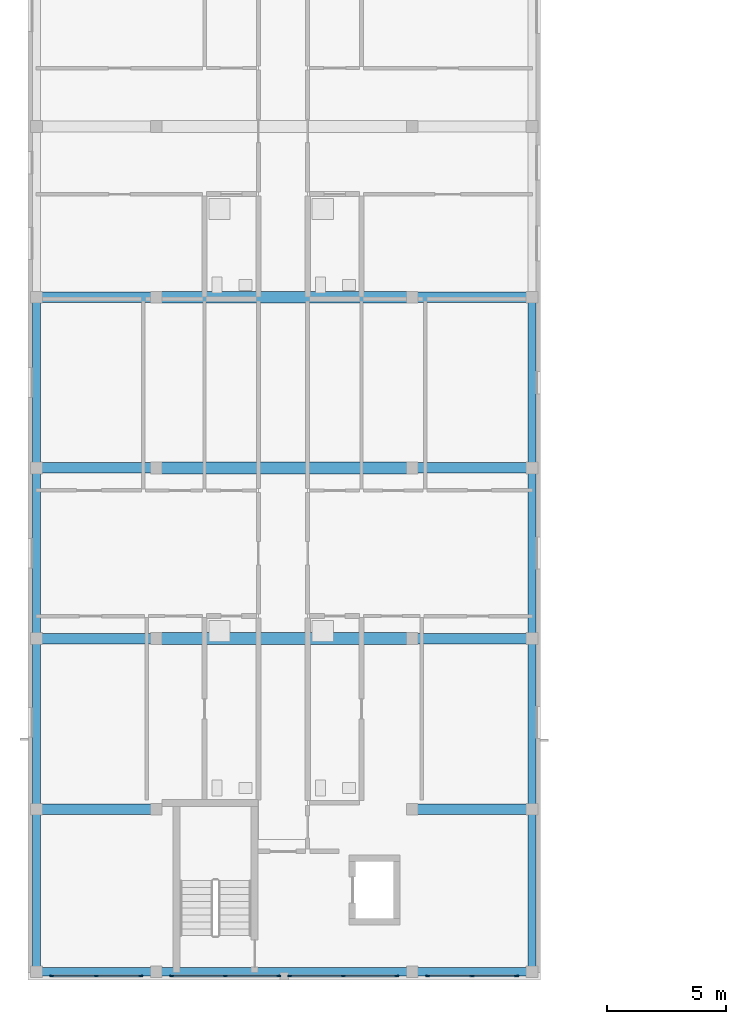
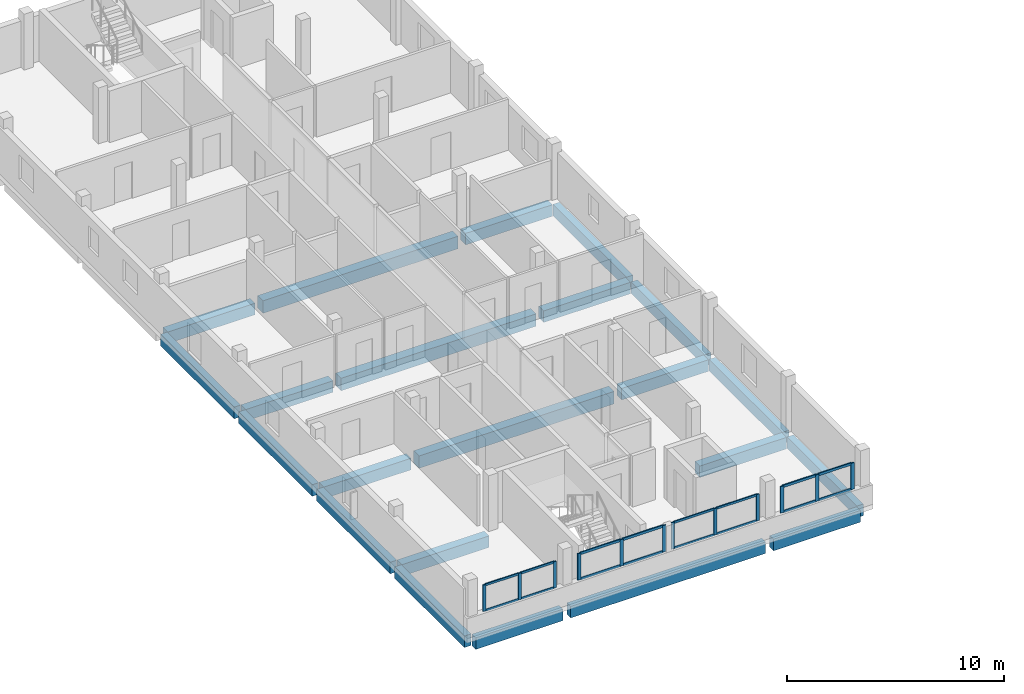
# One storey, part 2 of 16: 28 members, 22 beams, 4 elements without a shape of their own.
"""IFC4 building model written with IfcOpenShell, lengths in metres."""

import ifcopenshell
import ifcopenshell.guid

model = None  # the IFC model being written
_history = None  # IfcOwnerHistory: only IFC2X3 demands one
_inside = {}  # id of a spatial element -> (the spatial element, [elements in it])
_under = {}  # id of a project, library or spatial element -> (it, [spatial elements below it])
_declared = {}  # id of a project -> (the project, [libraries it declares])
_typed = {}  # id of a type object -> (the type object, [elements of that type])
_made_of = {}  # id of a material, layer set ... -> (it, [elements and type objects made of it])


def new_model(schema):
    """Start an empty IFC model of exactly this schema.

    Asked for "IFC4X3", IfcOpenShell would pick the latest addendum, in which some entities
    have other attributes; the version numbers below select the first issue.
    IFC2X3 requires an IfcOwnerHistory on every rooted entity: one is made here for all.
    """
    global model, _history
    if schema == "IFC4X3":
        model = ifcopenshell.file(schema_version=(4, 3, 0, 0))
    else:
        model = ifcopenshell.file(schema=schema)
    _inside.clear()
    _under.clear()
    _declared.clear()
    _typed.clear()
    _made_of.clear()
    _history = None
    if model.schema == "IFC2X3":
        org = make("IfcOrganization", Name="unknown")
        user = make(
            "IfcPersonAndOrganization",
            ThePerson=make("IfcPerson", FamilyName="unknown"),
            TheOrganization=org,
        )
        app = make(
            "IfcApplication",
            ApplicationDeveloper=org,
            Version="unknown",
            ApplicationFullName="unknown",
            ApplicationIdentifier="unknown",
        )
        _history = make(
            "IfcOwnerHistory",
            OwningUser=user,
            OwningApplication=app,
            ChangeAction="ADDED",
            CreationDate=0,
        )
    return model


def make(cls, **values):
    """One entity of the class cls with the attributes given. An attribute that is None is left unset."""
    return model.create_entity(
        cls, **{name: value for name, value in values.items() if value is not None}
    )


def rooted(cls, **values):
    """An entity with a GlobalId (a new one), such as an element, a storey or a relation."""
    return make(cls, GlobalId=ifcopenshell.guid.new(), OwnerHistory=_history, **values)


def si_unit(unit_type, name, prefix=None):
    """IfcSIUnit, for example si_unit("LENGTHUNIT", "METRE", prefix="MILLI")."""
    return make("IfcSIUnit", UnitType=unit_type, Prefix=prefix, Name=name)


def derived_unit(unit_type, elements):
    """IfcDerivedUnit: a product of units, each with its exponent."""
    return make(
        "IfcDerivedUnit",
        Elements=[
            make("IfcDerivedUnitElement", Unit=unit, Exponent=power)
            for unit, power in elements
        ],
        UnitType=unit_type,
    )


def assignment(units):
    """IfcUnitAssignment: the units of a project."""
    return None if units is None else make("IfcUnitAssignment", Units=units)


def point(xyz):
    """IfcCartesianPoint."""
    return None if xyz is None else make("IfcCartesianPoint", Coordinates=xyz)


def direction(xyz):
    """IfcDirection."""
    return None if xyz is None else make("IfcDirection", DirectionRatios=xyz)


def frame(location, z_axis=None, x_axis=None):
    """IfcAxis2Placement3D, a coordinate frame: its origin and axes. An axis left out is left unset."""
    return make(
        "IfcAxis2Placement3D",
        Location=point(location),
        Axis=direction(z_axis),
        RefDirection=direction(x_axis),
    )


def frame_2d(location, x_axis=None):
    """IfcAxis2Placement2D, a coordinate frame in the plane: its origin and x axis."""
    return make(
        "IfcAxis2Placement2D", Location=point(location), RefDirection=direction(x_axis)
    )


def origin():
    """The frame at (0, 0, 0) with its axes left unset."""
    return frame((0.0, 0.0, 0.0))


def origin_2d():
    """The frame at (0, 0) in the plane with its x axis left unset."""
    return frame_2d((0.0, 0.0))


def place(relative_to, where):
    """IfcLocalPlacement: puts the frame where relative to a parent placement (None: the world)."""
    return make(
        "IfcLocalPlacement", PlacementRelTo=relative_to, RelativePlacement=where
    )


def context(
    kind, dimensions, precision=None, world=None, true_north=None, identifier=None
):
    """IfcGeometricRepresentationContext, for example the 3D "Model" context."""
    return make(
        "IfcGeometricRepresentationContext",
        ContextIdentifier=identifier,
        ContextType=kind,
        CoordinateSpaceDimension=dimensions,
        Precision=precision,
        WorldCoordinateSystem=world,
        TrueNorth=true_north,
    )


def subcontext(parent, identifier, kind, view, scale=None):
    """IfcGeometricRepresentationSubContext, for example "Body" below "Model"."""
    return make(
        "IfcGeometricRepresentationSubContext",
        ContextIdentifier=identifier,
        ContextType=kind,
        ParentContext=parent,
        TargetScale=scale,
        TargetView=view,
    )


def project(units=None, contexts=None):
    """IfcProject with its units and contexts."""
    return rooted(
        "IfcProject",
        Name="project",
        RepresentationContexts=contexts,
        UnitsInContext=assignment(units),
    )


def spatial(cls, under=None, at=None, **own):
    """A site, building, storey or space (cls), placed at a placement, below another one or the project."""
    s = rooted(cls, ObjectPlacement=at, **own)
    if under is not None:
        _under.setdefault(under.id(), (under, []))[1].append(s)
    return s


def profile(cls, at=None, kind="AREA", **sizes):
    """A parametric profile (cls). Its sizes go by their IFC names, for example OverallWidth=200.0."""
    return make(cls, ProfileType=kind, Position=at, **sizes)


def rectangle(**sizes):
    """IfcRectangleProfileDef."""
    return profile("IfcRectangleProfileDef", **sizes)


def extrude(swept, where, along, depth):
    """IfcExtrudedAreaSolid: the profile swept, set in the frame where, extruded along a direction by depth."""
    return make(
        "IfcExtrudedAreaSolid",
        SweptArea=swept,
        Position=where,
        ExtrudedDirection=direction(along),
        Depth=depth,
    )


def shape(context_of_items, identifier, shape_type, items):
    """IfcShapeRepresentation: the items that make up one representation, for example the "Body"."""
    return make(
        "IfcShapeRepresentation",
        ContextOfItems=context_of_items,
        RepresentationIdentifier=identifier,
        RepresentationType=shape_type,
        Items=items,
    )


def material(Name=None, Category=None):
    """IfcMaterial."""
    return make("IfcMaterial", Name=Name, Category=Category)


def layer(
    of_material, thickness, ventilated=None, Name=None, Category=None, Priority=None
):
    """IfcMaterialLayer: one layer of a wall or slab, of a material (None: an air gap)."""
    return make(
        "IfcMaterialLayer",
        Material=of_material,
        LayerThickness=thickness,
        IsVentilated=ventilated,
        Name=Name,
        Category=Category,
        Priority=Priority,
    )


def layer_set(layers, Name=None):
    """IfcMaterialLayerSet."""
    return make("IfcMaterialLayerSet", MaterialLayers=layers, LayerSetName=Name)


def material_profile(
    of_material, cross_section, Name=None, Category=None, Priority=None
):
    """IfcMaterialProfile: a cross section and its material."""
    return make(
        "IfcMaterialProfile",
        Name=Name,
        Material=of_material,
        Profile=cross_section,
        Priority=Priority,
        Category=Category,
    )


def profile_set(profiles, Name=None, composite=None):
    """IfcMaterialProfileSet."""
    return make(
        "IfcMaterialProfileSet",
        Name=Name,
        MaterialProfiles=profiles,
        CompositeProfile=composite,
    )


def made_of(thing, what):
    """Note that an element or type object is made of a material, layer set ...; save() writes the relation."""
    if what is not None:
        _made_of.setdefault(what.id(), (what, []))[1].append(thing)
    return thing


def type_object(cls, material=None, **own):
    """A type object (cls), such as IfcWallType, which elements share."""
    return made_of(rooted(cls, **own), material)


def element(
    cls,
    number,
    at=None,
    inside=None,
    cuts=None,
    type_object=None,
    material=None,
    context=None,
    identifier="Body",
    shape_type=None,
    held_by="IfcProductDefinitionShape",
    body=None,
    shapes=None,
    **own,
):
    """One element of the class cls, such as IfcWall. Its Tag is "e" and its number.

    at: its placement. inside: the storey or other place that contains it. cuts: it is an
    opening in that element (IfcRelVoidsElement). A single representation is given by context,
    identifier, shape_type and body (its items); several are given by shapes. held_by: the class
    of the entity that holds the representations. save() writes the other relations.
    """
    e = rooted(cls, Tag="e%d" % number, ObjectPlacement=at, **own)
    if body is not None:
        shapes = [shape(context, identifier, shape_type, body)]
    if shapes is not None:
        e.Representation = make(held_by, Representations=shapes)
    if inside is not None:
        _inside.setdefault(inside.id(), (inside, []))[1].append(e)
    if cuts is not None:
        rooted(
            "IfcRelVoidsElement", RelatingBuildingElement=cuts, RelatedOpeningElement=e
        )
    if type_object is not None:
        _typed.setdefault(type_object.id(), (type_object, []))[1].append(e)
    return made_of(e, material)


def aggregate(whole, parts):
    """IfcRelAggregates: a whole, such as a stair, and the parts it consists of."""
    return rooted("IfcRelAggregates", RelatingObject=whole, RelatedObjects=parts)


def save(model, path):
    """Write the relations noted so far, then the file.

    IfcRelAggregates (storeys below a building ...), IfcRelContainedInSpatialStructure (elements
    in a storey), IfcRelDefinesByType, IfcRelAssociatesMaterial and IfcRelDeclares: one each for
    every whole, place, type object, material and project.
    """
    for whole, parts in _under.values():
        aggregate(whole, parts)
    for where, things in _inside.values():
        rooted(
            "IfcRelContainedInSpatialStructure",
            RelatedElements=things,
            RelatingStructure=where,
        )
    for kind, things in _typed.values():
        rooted("IfcRelDefinesByType", RelatedObjects=things, RelatingType=kind)
    for what, things in _made_of.values():
        rooted("IfcRelAssociatesMaterial", RelatedObjects=things, RelatingMaterial=what)
    for by, libraries in _declared.values():
        rooted("IfcRelDeclares", RelatingContext=by, RelatedDefinitions=libraries)
    model.write(path)


model = new_model("IFC4")

# Units and contexts
model_context = context("Model", 3, precision=1e-05, world=origin(), true_north=direction((0.0, 1.0)))
body_context = subcontext(model_context, "Body", "Model", "MODEL_VIEW")
ifc_project = project(units=[si_unit("LENGTHUNIT", "METRE"), si_unit("AREAUNIT", "SQUARE_METRE"), si_unit("VOLUMEUNIT", "CUBIC_METRE"), si_unit("PLANEANGLEUNIT", "RADIAN"), si_unit("MASSUNIT", "GRAM", prefix="KILO"), derived_unit("THERMALTRANSMITTANCEUNIT", [(si_unit("MASSUNIT", "GRAM", prefix="KILO"), 1), (si_unit("TIMEUNIT", "SECOND"), -3), (si_unit("THERMODYNAMICTEMPERATUREUNIT", "KELVIN"), -1)])], contexts=[model_context])

# Site, building, storey
site_placement = place(None, origin())
site = spatial("IfcSite", under=ifc_project, at=site_placement, CompositionType="ELEMENT")
building_placement = place(site_placement, origin())
building = spatial("IfcBuilding", under=site, at=building_placement, Name="Ochrekiln Boulevard Commons", CompositionType="ELEMENT")
storey_placement = place(building_placement, frame((0.0, 0.0, 43.574951171875)))
storey = spatial("IfcBuildingStorey", under=building, at=storey_placement, Name="L13", CompositionType="ELEMENT", Elevation=43.574951171875)

# Beams
ifc_material_1 = material(Name="Concrete C35/45", Category="concrete")
ifc_material_profile_1 = material_profile(ifc_material_1, rectangle(XDim=0.449951171875, YDim=0.64990234375, at=origin_2d()), Name="RC-BM-450x650")
ifc_profile_set_1 = profile_set([ifc_material_profile_1], Name="Concrete C35/45")
beam_type_1 = type_object("IfcBeamType", Name="BM-RC-450x650", PredefinedType="BEAM", material=ifc_profile_set_1)
beam_1_placement = place(storey_placement, frame((0.56005859375, 75.60009765625, -0.5849609375), z_axis=(1.0, 0.0, 0.0), x_axis=(0.0, 1.0, 0.0)))
element("IfcBeam", 1, at=beam_1_placement, inside=storey, type_object=beam_type_1, Name="Block A L13 Beam B-4565 X4", PredefinedType="BEAM", context=body_context, shape_type="SweptSolid", body=[
    extrude(rectangle(XDim=0.449951171875, YDim=0.64990234375, at=origin_2d()), origin(), (0.0, 0.0, 1.0), 4.6298828125),
])
beam_2_placement = place(storey_placement, frame((16.409912109375, 75.60009765625, -0.5849609375), z_axis=(1.0, 0.0, 0.0), x_axis=(0.0, 1.0, 0.0)))
element("IfcBeam", 2, at=beam_2_placement, inside=storey, type_object=beam_type_1, Name="Block A L13 Beam B-4565 X5", PredefinedType="BEAM", context=body_context, shape_type="SweptSolid", body=[
    extrude(rectangle(XDim=0.449951171875, YDim=0.64990234375, at=origin_2d()), origin(), (0.0, 0.0, 1.0), 4.630126953125),
])
beam_3_placement = place(storey_placement, frame((0.56005859375, 82.800048828125, -0.5849609375), z_axis=(1.0, 0.0, 0.0), x_axis=(0.0, 1.0, 0.0)))
element("IfcBeam", 3, at=beam_3_placement, inside=storey, type_object=beam_type_1, Name="Block A L13 Beam B-4565 X6", PredefinedType="BEAM", context=body_context, shape_type="SweptSolid", body=[
    extrude(rectangle(XDim=0.449951171875, YDim=0.64990234375, at=origin_2d()), origin(), (0.0, 0.0, 1.0), 4.6298828125),
])
beam_4_placement = place(storey_placement, frame((16.409912109375, 82.800048828125, -0.5849609375), z_axis=(1.0, 0.0, 0.0), x_axis=(0.0, 1.0, 0.0)))
element("IfcBeam", 4, at=beam_4_placement, inside=storey, type_object=beam_type_1, Name="Block A L13 Beam B-4565 X8", PredefinedType="BEAM", context=body_context, shape_type="SweptSolid", body=[
    extrude(rectangle(XDim=0.449951171875, YDim=0.64990234375, at=origin_2d()), origin(), (0.0, 0.0, 1.0), 4.630126953125),
])
beam_5_placement = place(storey_placement, frame((0.56005859375, 90.0, -0.5849609375), z_axis=(1.0, 0.0, 0.0), x_axis=(0.0, 1.0, 0.0)))
element("IfcBeam", 5, at=beam_5_placement, inside=storey, type_object=beam_type_1, Name="Block A L13 Beam B-4565 X9", PredefinedType="BEAM", context=body_context, shape_type="SweptSolid", body=[
    extrude(rectangle(XDim=0.449951171875, YDim=0.64990234375, at=origin_2d()), origin(), (0.0, 0.0, 1.0), 4.6298828125),
])
beam_6_placement = place(storey_placement, frame((16.409912109375, 90.0, -0.5849609375), z_axis=(1.0, 0.0, 0.0), x_axis=(0.0, 1.0, 0.0)))
element("IfcBeam", 6, at=beam_6_placement, inside=storey, type_object=beam_type_1, Name="Block A L13 Beam B-4565 X11", PredefinedType="BEAM", context=body_context, shape_type="SweptSolid", body=[
    extrude(rectangle(XDim=0.449951171875, YDim=0.64990234375, at=origin_2d()), origin(), (0.0, 0.0, 1.0), 4.630126953125),
])
beam_7_placement = place(storey_placement, frame((0.56005859375, 97.199951171875, -0.5849609375), z_axis=(1.0, 0.0, 0.0), x_axis=(0.0, 1.0, 0.0)))
element("IfcBeam", 7, at=beam_7_placement, inside=storey, type_object=beam_type_1, Name="Block A L13 Beam B-4565 X12", PredefinedType="BEAM", context=body_context, shape_type="SweptSolid", body=[
    extrude(rectangle(XDim=0.449951171875, YDim=0.64990234375, at=origin_2d()), origin(), (0.0, 0.0, 1.0), 4.6298828125),
])
beam_8_placement = place(storey_placement, frame((16.409912109375, 97.199951171875, -0.5849609375), z_axis=(1.0, 0.0, 0.0), x_axis=(0.0, 1.0, 0.0)))
element("IfcBeam", 8, at=beam_8_placement, inside=storey, type_object=beam_type_1, Name="Block A L13 Beam B-4565 X14", PredefinedType="BEAM", context=body_context, shape_type="SweptSolid", body=[
    extrude(rectangle(XDim=0.449951171875, YDim=0.64990234375, at=origin_2d()), origin(), (0.0, 0.0, 1.0), 4.630126953125),
])
ifc_material_2 = material(Name="Concrete C40/50", Category="concrete")
ifc_material_profile_2 = material_profile(ifc_material_2, rectangle(XDim=0.5, YDim=0.699951171875, at=origin_2d()), Name="RC-BM-500x700")
ifc_profile_set_2 = profile_set([ifc_material_profile_2], Name="Concrete C40/50")
beam_type_2 = type_object("IfcBeamType", Name="BM-RC-500x700", PredefinedType="BEAM", material=ifc_profile_set_2)
for number, where, z_axis, x_axis, name in (
    (9, (5.610107421875, 82.800048828125, -0.60986328125), (1.0, 0.0, 0.0), (0.0, 1.0, 0.0), "Block A L13 Beam B-5070 X7"),
    (10, (5.610107421875, 90.0, -0.60986328125), (1.0, 0.0, 0.0), (0.0, 1.0, 0.0), "Block A L13 Beam B-5070 X10"),
    (11, (5.610107421875, 97.199951171875, -0.60986328125), (1.0, 0.0, 0.0), (0.0, 1.0, 0.0), "Block A L13 Beam B-5070 X13"),
):
    element("IfcBeam", number, at=place(storey_placement, frame(where, z_axis=z_axis, x_axis=x_axis)), inside=storey, type_object=beam_type_2, Name=name, PredefinedType="BEAM", context=body_context, shape_type="SweptSolid", body=[
        extrude(rectangle(XDim=0.5, YDim=0.699951171875, at=origin_2d()), origin(), (0.0, 0.0, 1.0), 10.3798828125),
    ])

# Curtain wall, members
ifc_material_3 = material(Name="Bronze-anodized extruded aluminium 6063-T6", Category="aluminium")
ifc_layer = layer(ifc_material_3, 0.172119140625)
ifc_layer_set = layer_set([ifc_layer], Name="Bronze-anodized extruded aluminium 6063-T6")
curtain_wall_type = type_object("IfcCurtainWallType", Name="CW-GABLE-A", PredefinedType="USERDEFINED", material=ifc_layer_set)
curtain_wall_1_placement = place(storey_placement, origin())
curtain_wall_1 = element("IfcCurtainWall", 12, at=curtain_wall_1_placement, inside=storey, type_object=curtain_wall_type, Name="Block A L13 Courtyard Glazed Gable Curtain Wall 1", ObjectType="GLAZED CURTAIN WALL", PredefinedType="USERDEFINED")
ifc_material_profile_3 = material_profile(ifc_material_3, rectangle(XDim=0.06005859375, YDim=0.159912109375, at=origin_2d()), Name="ALU-MUL-60x160")
ifc_profile_set_3 = profile_set([ifc_material_profile_3], Name="Bronze-anodized extruded aluminium 6063-T6")
member_type_1 = type_object("IfcMemberType", Name="CWM-60x160", PredefinedType="MULLION", material=ifc_profile_set_3)
member_1_placement = place(storey_placement, frame((1.0, 68.56005859375, 1.110107421875), z_axis=(0.0, 0.0, 1.0), x_axis=(0.0, 1.0, 0.0)))
member_1 = element("IfcMember", 13, at=member_1_placement, type_object=member_type_1, Name="CW-01 mullion 1", PredefinedType="MULLION", context=body_context, shape_type="SweptSolid", body=[
    extrude(rectangle(XDim=0.06005859375, YDim=0.159912109375, at=origin_2d()), origin(), (0.0, 0.0, 1.0), 1.489990234375),
])
member_2_placement = place(storey_placement, frame((2.875, 68.56005859375, 1.110107421875), z_axis=(0.0, 0.0, 1.0), x_axis=(0.0, 1.0, 0.0)))
member_2 = element("IfcMember", 14, at=member_2_placement, type_object=member_type_1, Name="CW-01 mullion 2", PredefinedType="MULLION", context=body_context, shape_type="SweptSolid", body=[
    extrude(rectangle(XDim=0.06005859375, YDim=0.159912109375, at=origin_2d()), origin(), (0.0, 0.0, 1.0), 1.489990234375),
])
member_3_placement = place(storey_placement, frame((4.75, 68.56005859375, 1.110107421875), z_axis=(0.0, 0.0, 1.0), x_axis=(0.0, 1.0, 0.0)))
member_3 = element("IfcMember", 15, at=member_3_placement, type_object=member_type_1, Name="CW-01 mullion 3", PredefinedType="MULLION", context=body_context, shape_type="SweptSolid", body=[
    extrude(rectangle(XDim=0.06005859375, YDim=0.159912109375, at=origin_2d()), origin(), (0.0, 0.0, 1.0), 1.489990234375),
])

curtain_wall_2_placement = place(storey_placement, origin())
curtain_wall_2 = element("IfcCurtainWall", 16, at=curtain_wall_2_placement, inside=storey, type_object=curtain_wall_type, Name="Block A L13 Courtyard Glazed Gable Curtain Wall 3", ObjectType="GLAZED CURTAIN WALL", PredefinedType="USERDEFINED")
member_4_placement = place(storey_placement, frame((11.030029296875, 68.56005859375, 1.110107421875), z_axis=(0.0, 0.0, 1.0), x_axis=(0.0, 1.0, 0.0)))
member_4 = element("IfcMember", 17, at=member_4_placement, type_object=member_type_1, Name="CW-01 mullion 1", PredefinedType="MULLION", context=body_context, shape_type="SweptSolid", body=[
    extrude(rectangle(XDim=0.06005859375, YDim=0.159912109375, at=origin_2d()), origin(), (0.0, 0.0, 1.0), 1.489990234375),
])
member_5_placement = place(storey_placement, frame((13.2900390625, 68.56005859375, 1.110107421875), z_axis=(0.0, 0.0, 1.0), x_axis=(0.0, 1.0, 0.0)))
member_5 = element("IfcMember", 18, at=member_5_placement, type_object=member_type_1, Name="CW-01 mullion 2", PredefinedType="MULLION", context=body_context, shape_type="SweptSolid", body=[
    extrude(rectangle(XDim=0.06005859375, YDim=0.159912109375, at=origin_2d()), origin(), (0.0, 0.0, 1.0), 1.489990234375),
])
member_6_placement = place(storey_placement, frame((15.550048828125, 68.56005859375, 1.110107421875), z_axis=(0.0, 0.0, 1.0), x_axis=(0.0, 1.0, 0.0)))
member_6 = element("IfcMember", 19, at=member_6_placement, type_object=member_type_1, Name="CW-01 mullion 3", PredefinedType="MULLION", context=body_context, shape_type="SweptSolid", body=[
    extrude(rectangle(XDim=0.06005859375, YDim=0.159912109375, at=origin_2d()), origin(), (0.0, 0.0, 1.0), 1.489990234375),
])

curtain_wall_3_placement = place(storey_placement, origin())
curtain_wall_3 = element("IfcCurtainWall", 20, at=curtain_wall_3_placement, inside=storey, type_object=curtain_wall_type, Name="Block A L13 Courtyard Glazed Gable Curtain Wall 2", ObjectType="GLAZED CURTAIN WALL", PredefinedType="USERDEFINED")
ifc_material_profile_4 = material_profile(ifc_material_3, rectangle(XDim=0.06494140625, YDim=0.179931640625, at=origin_2d()), Name="ALU-MUL-65x180")
ifc_profile_set_4 = profile_set([ifc_material_profile_4], Name="Bronze-anodized extruded aluminium 6063-T6")
member_type_2 = type_object("IfcMemberType", Name="CWM-65x180", PredefinedType="MULLION", material=ifc_profile_set_4)
member_7_placement = place(storey_placement, frame((6.052490234375, 68.56005859375, 1.110107421875), z_axis=(0.0, 0.0, 1.0), x_axis=(0.0, 1.0, 0.0)))
member_7 = element("IfcMember", 21, at=member_7_placement, type_object=member_type_2, Name="CW-01 mullion 1", PredefinedType="MULLION", context=body_context, shape_type="SweptSolid", body=[
    extrude(rectangle(XDim=0.06494140625, YDim=0.179931640625, at=origin_2d()), origin(), (0.0, 0.0, 1.0), 1.489990234375),
])
member_8_placement = place(storey_placement, frame((8.31005859375, 68.56005859375, 1.110107421875), z_axis=(0.0, 0.0, 1.0), x_axis=(0.0, 1.0, 0.0)))
member_8 = element("IfcMember", 22, at=member_8_placement, type_object=member_type_2, Name="CW-01 mullion 2", PredefinedType="MULLION", context=body_context, shape_type="SweptSolid", body=[
    extrude(rectangle(XDim=0.06494140625, YDim=0.179931640625, at=origin_2d()), origin(), (0.0, 0.0, 1.0), 1.489990234375),
])
member_9_placement = place(storey_placement, frame((10.5673828125, 68.56005859375, 1.110107421875), z_axis=(0.0, 0.0, 1.0), x_axis=(0.0, 1.0, 0.0)))
member_9 = element("IfcMember", 23, at=member_9_placement, type_object=member_type_2, Name="CW-01 mullion 3", PredefinedType="MULLION", context=body_context, shape_type="SweptSolid", body=[
    extrude(rectangle(XDim=0.06494140625, YDim=0.179931640625, at=origin_2d()), origin(), (0.0, 0.0, 1.0), 1.489990234375),
])

curtain_wall_4_placement = place(storey_placement, origin())
curtain_wall_4 = element("IfcCurtainWall", 24, at=curtain_wall_4_placement, inside=storey, type_object=curtain_wall_type, Name="Block A L13 Courtyard Glazed Gable Curtain Wall 4", ObjectType="GLAZED CURTAIN WALL", PredefinedType="USERDEFINED")
member_10_placement = place(storey_placement, frame((16.8525390625, 68.56005859375, 1.110107421875), z_axis=(0.0, 0.0, 1.0), x_axis=(0.0, 1.0, 0.0)))
member_10 = element("IfcMember", 25, at=member_10_placement, type_object=member_type_2, Name="CW-01 mullion 1", PredefinedType="MULLION", context=body_context, shape_type="SweptSolid", body=[
    extrude(rectangle(XDim=0.06494140625, YDim=0.179931640625, at=origin_2d()), origin(), (0.0, 0.0, 1.0), 1.489990234375),
])
member_11_placement = place(storey_placement, frame((18.72509765625, 68.56005859375, 1.110107421875), z_axis=(0.0, 0.0, 1.0), x_axis=(0.0, 1.0, 0.0)))
member_11 = element("IfcMember", 26, at=member_11_placement, type_object=member_type_2, Name="CW-01 mullion 2", PredefinedType="MULLION", context=body_context, shape_type="SweptSolid", body=[
    extrude(rectangle(XDim=0.06494140625, YDim=0.179931640625, at=origin_2d()), origin(), (0.0, 0.0, 1.0), 1.489990234375),
])
member_12_placement = place(storey_placement, frame((20.597412109375, 68.56005859375, 1.110107421875), z_axis=(0.0, 0.0, 1.0), x_axis=(0.0, 1.0, 0.0)))
member_12 = element("IfcMember", 27, at=member_12_placement, type_object=member_type_2, Name="CW-01 mullion 3", PredefinedType="MULLION", context=body_context, shape_type="SweptSolid", body=[
    extrude(rectangle(XDim=0.06494140625, YDim=0.179931640625, at=origin_2d()), origin(), (0.0, 0.0, 1.0), 1.489990234375),
])

# Member
ifc_material_profile_5 = material_profile(ifc_material_3, rectangle(XDim=0.06005859375, YDim=0.1201171875, at=origin_2d()), Name="ALU-TRN-60x120")
ifc_profile_set_5 = profile_set([ifc_material_profile_5], Name="Bronze-anodized extruded aluminium 6063-T6")
member_type_3 = type_object("IfcMemberType", Name="CWT-60x120", PredefinedType="USERDEFINED", material=ifc_profile_set_5)
member_13_placement = place(storey_placement, frame((1.030029296875, 68.56005859375, 1.14013671875), z_axis=(1.0, 0.0, 0.0), x_axis=(0.0, 1.0, 0.0)))
member_13 = element("IfcMember", 28, at=member_13_placement, type_object=member_type_3, Name="CW-01 transom 1.1", ObjectType="TRANSOM", PredefinedType="USERDEFINED", context=body_context, shape_type="SweptSolid", body=[
    extrude(rectangle(XDim=0.06005859375, YDim=0.1201171875, at=origin_2d()), origin(), (0.0, 0.0, 1.0), 1.81494140625),
])

member_14_placement = place(storey_placement, frame((1.030029296875, 68.56005859375, 2.570068359375), z_axis=(1.0, 0.0, 0.0), x_axis=(0.0, 1.0, 0.0)))
member_14 = element("IfcMember", 29, at=member_14_placement, type_object=member_type_3, Name="CW-01 transom 1.2", ObjectType="TRANSOM", PredefinedType="USERDEFINED", context=body_context, shape_type="SweptSolid", body=[
    extrude(rectangle(XDim=0.06005859375, YDim=0.1201171875, at=origin_2d()), origin(), (0.0, 0.0, 1.0), 1.81494140625),
])

member_15_placement = place(storey_placement, frame((2.905029296875, 68.56005859375, 1.14013671875), z_axis=(1.0, 0.0, 0.0), x_axis=(0.0, 1.0, 0.0)))
member_15 = element("IfcMember", 30, at=member_15_placement, type_object=member_type_3, Name="CW-01 transom 2.1", ObjectType="TRANSOM", PredefinedType="USERDEFINED", context=body_context, shape_type="SweptSolid", body=[
    extrude(rectangle(XDim=0.06005859375, YDim=0.1201171875, at=origin_2d()), origin(), (0.0, 0.0, 1.0), 1.81494140625),
])

member_16_placement = place(storey_placement, frame((2.905029296875, 68.56005859375, 2.570068359375), z_axis=(1.0, 0.0, 0.0), x_axis=(0.0, 1.0, 0.0)))
member_16 = element("IfcMember", 31, at=member_16_placement, type_object=member_type_3, Name="CW-01 transom 2.2", ObjectType="TRANSOM", PredefinedType="USERDEFINED", context=body_context, shape_type="SweptSolid", body=[
    extrude(rectangle(XDim=0.06005859375, YDim=0.1201171875, at=origin_2d()), origin(), (0.0, 0.0, 1.0), 1.81494140625),
])

aggregate(curtain_wall_1, [member_1, member_2, member_3, member_13, member_14, member_15, member_16])

member_17_placement = place(storey_placement, frame((11.06005859375, 68.56005859375, 1.14013671875), z_axis=(1.0, 0.0, 0.0), x_axis=(0.0, 1.0, 0.0)))
member_17 = element("IfcMember", 32, at=member_17_placement, type_object=member_type_3, Name="CW-01 transom 1.1", ObjectType="TRANSOM", PredefinedType="USERDEFINED", context=body_context, shape_type="SweptSolid", body=[
    extrude(rectangle(XDim=0.06005859375, YDim=0.1201171875, at=origin_2d()), origin(), (0.0, 0.0, 1.0), 2.199951171875),
])

member_18_placement = place(storey_placement, frame((11.06005859375, 68.56005859375, 2.570068359375), z_axis=(1.0, 0.0, 0.0), x_axis=(0.0, 1.0, 0.0)))
member_18 = element("IfcMember", 33, at=member_18_placement, type_object=member_type_3, Name="CW-01 transom 1.2", ObjectType="TRANSOM", PredefinedType="USERDEFINED", context=body_context, shape_type="SweptSolid", body=[
    extrude(rectangle(XDim=0.06005859375, YDim=0.1201171875, at=origin_2d()), origin(), (0.0, 0.0, 1.0), 2.199951171875),
])

member_19_placement = place(storey_placement, frame((13.320068359375, 68.56005859375, 1.14013671875), z_axis=(1.0, 0.0, 0.0), x_axis=(0.0, 1.0, 0.0)))
member_19 = element("IfcMember", 34, at=member_19_placement, type_object=member_type_3, Name="CW-01 transom 2.1", ObjectType="TRANSOM", PredefinedType="USERDEFINED", context=body_context, shape_type="SweptSolid", body=[
    extrude(rectangle(XDim=0.06005859375, YDim=0.1201171875, at=origin_2d()), origin(), (0.0, 0.0, 1.0), 2.199951171875),
])

member_20_placement = place(storey_placement, frame((13.320068359375, 68.56005859375, 2.570068359375), z_axis=(1.0, 0.0, 0.0), x_axis=(0.0, 1.0, 0.0)))
member_20 = element("IfcMember", 35, at=member_20_placement, type_object=member_type_3, Name="CW-01 transom 2.2", ObjectType="TRANSOM", PredefinedType="USERDEFINED", context=body_context, shape_type="SweptSolid", body=[
    extrude(rectangle(XDim=0.06005859375, YDim=0.1201171875, at=origin_2d()), origin(), (0.0, 0.0, 1.0), 2.199951171875),
])

aggregate(curtain_wall_2, [member_4, member_5, member_6, member_17, member_18, member_19, member_20])

ifc_material_profile_6 = material_profile(ifc_material_3, rectangle(XDim=0.06494140625, YDim=0.139892578125, at=origin_2d()), Name="ALU-TRN-65x140")
ifc_profile_set_6 = profile_set([ifc_material_profile_6], Name="Bronze-anodized extruded aluminium 6063-T6")
member_type_4 = type_object("IfcMemberType", Name="CWT-65x140", PredefinedType="USERDEFINED", material=ifc_profile_set_6)
member_21_placement = place(storey_placement, frame((6.0849609375, 68.56005859375, 1.142578125), z_axis=(1.0, 0.0, 0.0), x_axis=(0.0, 1.0, 0.0)))
member_21 = element("IfcMember", 36, at=member_21_placement, type_object=member_type_4, Name="CW-01 transom 1.1", ObjectType="TRANSOM", PredefinedType="USERDEFINED", context=body_context, shape_type="SweptSolid", body=[
    extrude(rectangle(XDim=0.06494140625, YDim=0.139892578125, at=origin_2d()), origin(), (0.0, 0.0, 1.0), 2.192626953125),
])

member_22_placement = place(storey_placement, frame((6.0849609375, 68.56005859375, 2.567626953125), z_axis=(1.0, 0.0, 0.0), x_axis=(0.0, 1.0, 0.0)))
member_22 = element("IfcMember", 37, at=member_22_placement, type_object=member_type_4, Name="CW-01 transom 1.2", ObjectType="TRANSOM", PredefinedType="USERDEFINED", context=body_context, shape_type="SweptSolid", body=[
    extrude(rectangle(XDim=0.06494140625, YDim=0.139892578125, at=origin_2d()), origin(), (0.0, 0.0, 1.0), 2.192626953125),
])

member_23_placement = place(storey_placement, frame((8.342529296875, 68.56005859375, 1.142578125), z_axis=(1.0, 0.0, 0.0), x_axis=(0.0, 1.0, 0.0)))
member_23 = element("IfcMember", 38, at=member_23_placement, type_object=member_type_4, Name="CW-01 transom 2.1", ObjectType="TRANSOM", PredefinedType="USERDEFINED", context=body_context, shape_type="SweptSolid", body=[
    extrude(rectangle(XDim=0.06494140625, YDim=0.139892578125, at=origin_2d()), origin(), (0.0, 0.0, 1.0), 2.1923828125),
])

member_24_placement = place(storey_placement, frame((8.342529296875, 68.56005859375, 2.567626953125), z_axis=(1.0, 0.0, 0.0), x_axis=(0.0, 1.0, 0.0)))
member_24 = element("IfcMember", 39, at=member_24_placement, type_object=member_type_4, Name="CW-01 transom 2.2", ObjectType="TRANSOM", PredefinedType="USERDEFINED", context=body_context, shape_type="SweptSolid", body=[
    extrude(rectangle(XDim=0.06494140625, YDim=0.139892578125, at=origin_2d()), origin(), (0.0, 0.0, 1.0), 2.1923828125),
])

aggregate(curtain_wall_3, [member_7, member_8, member_9, member_21, member_22, member_23, member_24])

member_25_placement = place(storey_placement, frame((16.885009765625, 68.56005859375, 1.142578125), z_axis=(1.0, 0.0, 0.0), x_axis=(0.0, 1.0, 0.0)))
member_25 = element("IfcMember", 40, at=member_25_placement, type_object=member_type_4, Name="CW-01 transom 1.1", ObjectType="TRANSOM", PredefinedType="USERDEFINED", context=body_context, shape_type="SweptSolid", body=[
    extrude(rectangle(XDim=0.06494140625, YDim=0.139892578125, at=origin_2d()), origin(), (0.0, 0.0, 1.0), 1.807373046875),
])

member_26_placement = place(storey_placement, frame((16.885009765625, 68.56005859375, 2.567626953125), z_axis=(1.0, 0.0, 0.0), x_axis=(0.0, 1.0, 0.0)))
member_26 = element("IfcMember", 41, at=member_26_placement, type_object=member_type_4, Name="CW-01 transom 1.2", ObjectType="TRANSOM", PredefinedType="USERDEFINED", context=body_context, shape_type="SweptSolid", body=[
    extrude(rectangle(XDim=0.06494140625, YDim=0.139892578125, at=origin_2d()), origin(), (0.0, 0.0, 1.0), 1.807373046875),
])

member_27_placement = place(storey_placement, frame((18.757568359375, 68.56005859375, 1.142578125), z_axis=(1.0, 0.0, 0.0), x_axis=(0.0, 1.0, 0.0)))
member_27 = element("IfcMember", 42, at=member_27_placement, type_object=member_type_4, Name="CW-01 transom 2.1", ObjectType="TRANSOM", PredefinedType="USERDEFINED", context=body_context, shape_type="SweptSolid", body=[
    extrude(rectangle(XDim=0.06494140625, YDim=0.139892578125, at=origin_2d()), origin(), (0.0, 0.0, 1.0), 1.807373046875),
])

member_28_placement = place(storey_placement, frame((18.757568359375, 68.56005859375, 2.567626953125), z_axis=(1.0, 0.0, 0.0), x_axis=(0.0, 1.0, 0.0)))
member_28 = element("IfcMember", 43, at=member_28_placement, type_object=member_type_4, Name="CW-01 transom 2.2", ObjectType="TRANSOM", PredefinedType="USERDEFINED", context=body_context, shape_type="SweptSolid", body=[
    extrude(rectangle(XDim=0.06494140625, YDim=0.139892578125, at=origin_2d()), origin(), (0.0, 0.0, 1.0), 1.807373046875),
])

aggregate(curtain_wall_4, [member_10, member_11, member_12, member_25, member_26, member_27, member_28])

# Beams
ifc_material_profile_7 = material_profile(ifc_material_2, rectangle(XDim=0.35009765625, YDim=0.64990234375, at=origin_2d()), Name="RC-SPN-350x650")
ifc_profile_set_7 = profile_set([ifc_material_profile_7], Name="Concrete C40/50")
beam_type_3 = type_object("IfcBeamType", Name="SPN-RC-350x650", PredefinedType="SPANDREL", material=ifc_profile_set_7)
beam_9_placement = place(storey_placement, frame((0.56005859375, 68.75, -0.5849609375), z_axis=(1.0, 0.0, 0.0), x_axis=(0.0, 1.0, 0.0)))
element("IfcBeam", 44, at=beam_9_placement, inside=storey, type_object=beam_type_3, Name="Block A L13 Beam SP-3565 X1", PredefinedType="SPANDREL", context=body_context, shape_type="SweptSolid", body=[
    extrude(rectangle(XDim=0.35009765625, YDim=0.64990234375, at=origin_2d()), origin(), (0.0, 0.0, 1.0), 4.6298828125),
])
beam_10_placement = place(storey_placement, frame((5.610107421875, 68.75, -0.5849609375), z_axis=(1.0, 0.0, 0.0), x_axis=(0.0, 1.0, 0.0)))
element("IfcBeam", 45, at=beam_10_placement, inside=storey, type_object=beam_type_3, Name="Block A L13 Beam SP-3565 X2", PredefinedType="SPANDREL", context=body_context, shape_type="SweptSolid", body=[
    extrude(rectangle(XDim=0.35009765625, YDim=0.64990234375, at=origin_2d()), origin(), (0.0, 0.0, 1.0), 10.3798828125),
])
beam_11_placement = place(storey_placement, frame((16.409912109375, 68.75, -0.5849609375), z_axis=(1.0, 0.0, 0.0), x_axis=(0.0, 1.0, 0.0)))
element("IfcBeam", 46, at=beam_11_placement, inside=storey, type_object=beam_type_3, Name="Block A L13 Beam SP-3565 X3", PredefinedType="SPANDREL", context=body_context, shape_type="SweptSolid", body=[
    extrude(rectangle(XDim=0.35009765625, YDim=0.64990234375, at=origin_2d()), origin(), (0.0, 0.0, 1.0), 4.630126953125),
])
beam_12_placement = place(storey_placement, frame((0.35009765625, 68.9599609375, -0.5849609375), z_axis=(0.0, 1.0, 0.0), x_axis=(-1.0, 0.0, 0.0)))
element("IfcBeam", 47, at=beam_12_placement, inside=storey, type_object=beam_type_3, Name="Block A L13 Beam SP-3565 Y23", PredefinedType="SPANDREL", context=body_context, shape_type="SweptSolid", body=[
    extrude(rectangle(XDim=0.35009765625, YDim=0.64990234375, at=origin_2d()), origin(), (0.0, 0.0, 1.0), 6.429931640625),
])
for number, where, z_axis, x_axis, name in (
    (48, (0.35009765625, 75.81005859375, -0.5849609375), (0.0, 1.0, 0.0), (-1.0, 0.0, 0.0), "Block A L13 Beam SP-3565 Y24"),
    (49, (0.35009765625, 83.010009765625, -0.5849609375), (0.0, 1.0, 0.0), (-1.0, 0.0, 0.0), "Block A L13 Beam SP-3565 Y25"),
    (50, (0.35009765625, 90.2099609375, -0.5849609375), (0.0, 1.0, 0.0), (-1.0, 0.0, 0.0), "Block A L13 Beam SP-3565 Y26"),
):
    element("IfcBeam", number, at=place(storey_placement, frame(where, z_axis=z_axis, x_axis=x_axis)), inside=storey, type_object=beam_type_3, Name=name, PredefinedType="SPANDREL", context=body_context, shape_type="SweptSolid", body=[
        extrude(rectangle(XDim=0.35009765625, YDim=0.64990234375, at=origin_2d()), origin(), (0.0, 0.0, 1.0), 6.780029296875),
    ])
beam_13_placement = place(storey_placement, frame((21.25, 68.9599609375, -0.5849609375), z_axis=(0.0, 1.0, 0.0), x_axis=(-1.0, 0.0, 0.0)))
element("IfcBeam", 51, at=beam_13_placement, inside=storey, type_object=beam_type_3, Name="Block A L13 Beam SP-3565 Y30", PredefinedType="SPANDREL", context=body_context, shape_type="SweptSolid", body=[
    extrude(rectangle(XDim=0.35009765625, YDim=0.64990234375, at=origin_2d()), origin(), (0.0, 0.0, 1.0), 6.429931640625),
])
for number, where, z_axis, x_axis, name in (
    (52, (21.25, 75.81005859375, -0.5849609375), (0.0, 1.0, 0.0), (-1.0, 0.0, 0.0), "Block A L13 Beam SP-3565 Y31"),
    (53, (21.25, 83.010009765625, -0.5849609375), (0.0, 1.0, 0.0), (-1.0, 0.0, 0.0), "Block A L13 Beam SP-3565 Y32"),
    (54, (21.25, 90.2099609375, -0.5849609375), (0.0, 1.0, 0.0), (-1.0, 0.0, 0.0), "Block A L13 Beam SP-3565 Y33"),
):
    element("IfcBeam", number, at=place(storey_placement, frame(where, z_axis=z_axis, x_axis=x_axis)), inside=storey, type_object=beam_type_3, Name=name, PredefinedType="SPANDREL", context=body_context, shape_type="SweptSolid", body=[
        extrude(rectangle(XDim=0.35009765625, YDim=0.64990234375, at=origin_2d()), origin(), (0.0, 0.0, 1.0), 6.780029296875),
    ])

save(model, "model.ifc")
